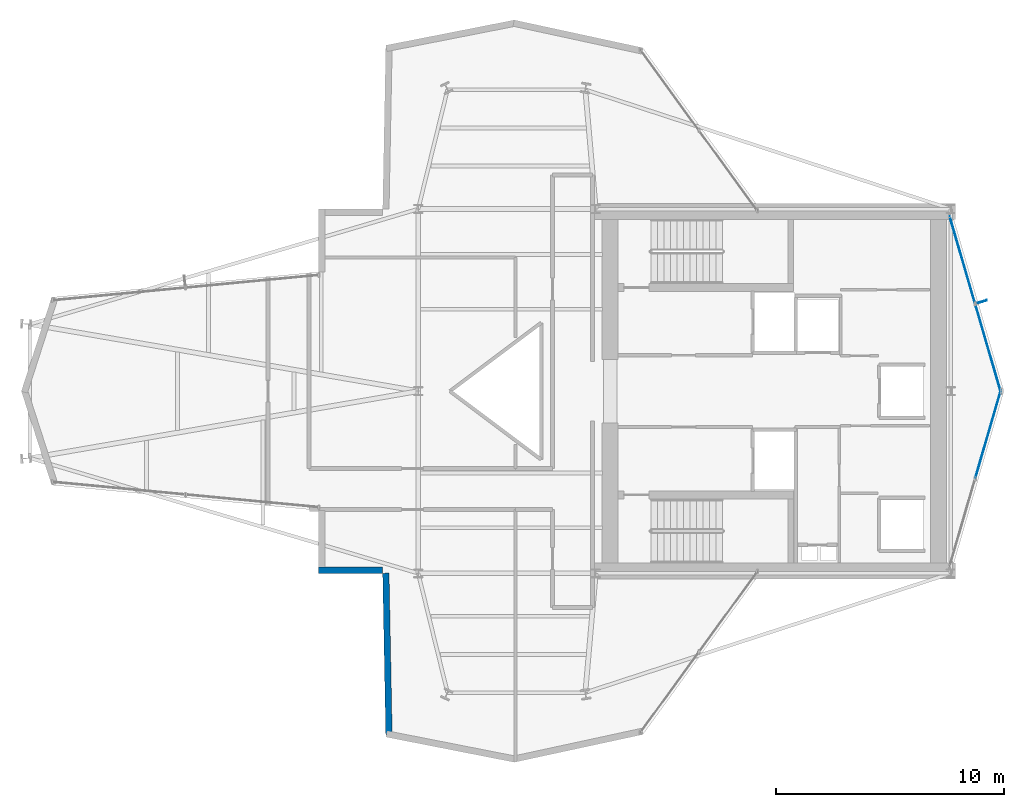
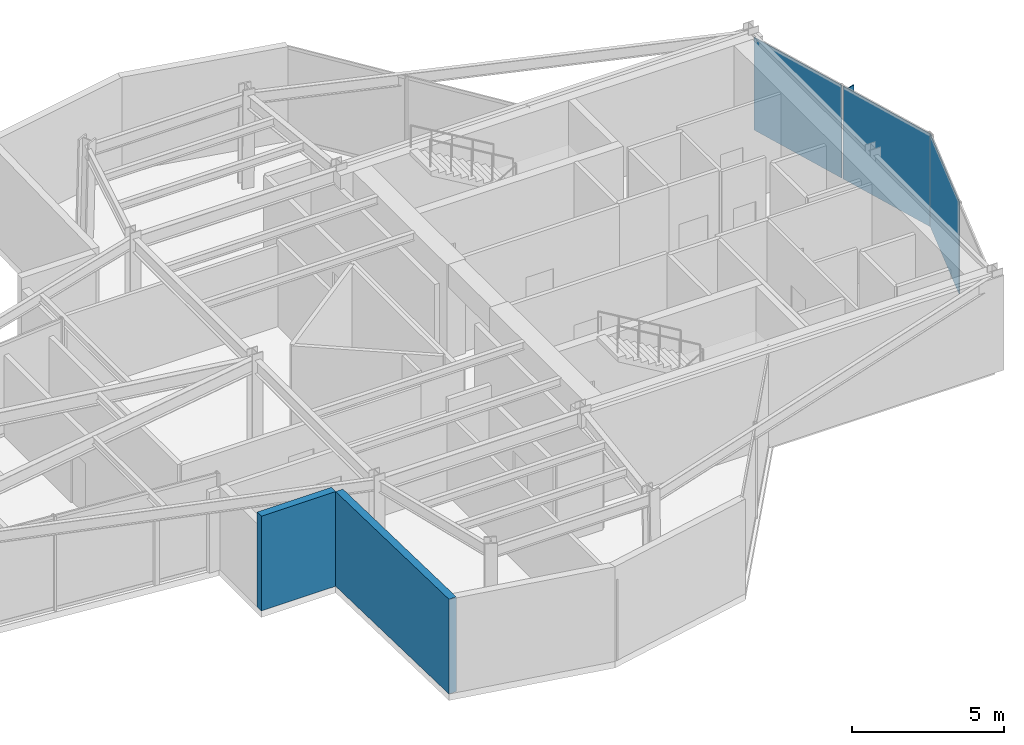
# One storey, part 18 of 21: 4 plates, 2 walls, 2 elements without a shape of their own.
"""IFC4 building model written with IfcOpenShell, lengths in metres."""

from ifc_helpers import new_model, si_unit, direction, frame, frame_2d, origin, origin_2d, place, context, subcontext, project, spatial, rectangle, extrude, material, layer, layer_set, type_object, element, aggregate, save


model = new_model("IFC4")

# Units and contexts
model_context = context("Model", 3, precision=1e-05, world=origin(), true_north=direction((0.0, 1.0)))
body_context = subcontext(model_context, "Body", "Model", "MODEL_VIEW")
ifc_project = project(units=[si_unit("LENGTHUNIT", "METRE"), si_unit("AREAUNIT", "SQUARE_METRE"), si_unit("VOLUMEUNIT", "CUBIC_METRE"), si_unit("PLANEANGLEUNIT", "RADIAN"), si_unit("MASSUNIT", "GRAM", prefix="KILO")], contexts=[model_context])

# Site, building, storey
site_placement = place(None, origin())
site = spatial("IfcSite", under=ifc_project, at=site_placement, CompositionType="ELEMENT")
building_placement = place(site_placement, origin())
building = spatial("IfcBuilding", under=site, at=building_placement, Name="Veymaron Broadcast Tower", CompositionType="ELEMENT")
storey_placement = place(building_placement, frame((0.0, 0.0, 232.35009765625)))
storey = spatial("IfcBuildingStorey", under=building, at=storey_placement, Name="L54", CompositionType="ELEMENT", Elevation=232.35009765625)

# Curtain wall, plate
ifc_material_1 = material(Name="Anodised aluminium AA 6063-T6 and laminated low-E dark glass", Category="aluminium")
ifc_layer_1 = layer(ifc_material_1, 0.179931640625)
ifc_layer_set_1 = layer_set([ifc_layer_1], Name="Anodised aluminium AA 6063-T6 and laminated low-E dark glass")
curtain_wall_type = type_object("IfcCurtainWallType", Name="CW-SYS-05", PredefinedType="NOTDEFINED", material=ifc_layer_set_1)
curtain_wall_1_placement = place(storey_placement, origin())
curtain_wall_1 = element("IfcCurtainWall", 1, at=curtain_wall_1_placement, inside=storey, type_object=curtain_wall_type, Name="L54 dark-glass curtain wall CW-L54-E2-1", PredefinedType="NOTDEFINED")
ifc_material_2 = material(Name="Double-silver solar-control dark glass IGU 32 mm", Category="glass")
ifc_layer_2 = layer(ifc_material_2, 0.031982421875)
ifc_layer_set_2 = layer_set([ifc_layer_2], Name="Double-silver solar-control dark glass IGU 32 mm")
plate_type_1 = type_object("IfcPlateType", Name="CW-PNL-02", PredefinedType="CURTAIN_PANEL", material=ifc_layer_set_2)
plate_1_placement = place(storey_placement, frame((56.2314453125, 22.099853515625, 0.0400390625), z_axis=(0.0, 0.0, 1.0), x_axis=(0.279745232811, 0.960074270418, 0.0)))
plate_1 = element("IfcPlate", 2, at=plate_1_placement, type_object=plate_type_1, Name="CW-L54-E2-1 unitised curtain panel 1", PredefinedType="CURTAIN_PANEL", context=body_context, shape_type="SweptSolid", body=[
    extrude(rectangle(XDim=3.979736328125, YDim=0.031982421875, at=origin_2d()), origin(), (0.0, 0.0, 1.0), 3.7099609375),
])
aggregate(curtain_wall_1, [plate_1])

# Curtain wall, plates
curtain_wall_2_placement = place(storey_placement, origin())
curtain_wall_2 = element("IfcCurtainWall", 3, at=curtain_wall_2_placement, inside=storey, type_object=curtain_wall_type, Name="L54 dark-glass curtain wall CW-L54-E3-1", PredefinedType="NOTDEFINED")
plate_2_placement = place(storey_placement, frame((56.2314453125, 25.900146484375, 0.0400390625), z_axis=(0.0, 0.0, 1.0), x_axis=(-0.279745232811, 0.960074270418, 0.0)))
plate_2 = element("IfcPlate", 4, at=plate_2_placement, type_object=plate_type_1, Name="CW-L54-E3-1 unitised curtain panel 0", PredefinedType="CURTAIN_PANEL", context=body_context, shape_type="SweptSolid", body=[
    extrude(rectangle(XDim=3.979736328125, YDim=0.031982421875, at=origin_2d()), origin(), (0.0, 0.0, 1.0), 3.7099609375),
])
plate_3_placement = place(storey_placement, frame((55.101318359375, 29.778564453125, 0.0400390625), z_axis=(0.0, 0.0, 1.0), x_axis=(-0.279745232811, 0.960074270418, 0.0)))
plate_3 = element("IfcPlate", 5, at=plate_3_placement, type_object=plate_type_1, Name="CW-L54-E3-1 unitised curtain panel 1", PredefinedType="CURTAIN_PANEL", context=body_context, shape_type="SweptSolid", body=[
    extrude(rectangle(XDim=3.979736328125, YDim=0.031982421875, at=origin_2d()), origin(), (0.0, 0.0, 1.0), 3.7099609375),
])
aggregate(curtain_wall_2, [plate_2, plate_3])

# Plate
ifc_material_3 = material(Name="Dark-anodised aluminium AA 6061-T6", Category="aluminium")
ifc_layer_3 = layer(ifc_material_3, 0.031982421875)
ifc_layer_set_3 = layer_set([ifc_layer_3], Name="Dark-anodised aluminium AA 6061-T6")
plate_type_2 = type_object("IfcPlateType", Name="FIN-CHEV-03", PredefinedType="USERDEFINED", material=ifc_layer_set_3)
plate_4_placement = place(storey_placement, frame((55.9833984375, 27.931640625, 0.26513671875), z_axis=(0.0, 0.0, 1.0), x_axis=(0.960074270418, 0.279745232811, 0.0)))
element("IfcPlate", 6, at=plate_4_placement, inside=storey, type_object=plate_type_2, Name="CW-L54-E3-1 chevron fin 1", ObjectType="FIN", PredefinedType="USERDEFINED", context=body_context, shape_type="SweptSolid", body=[
    extrude(rectangle(XDim=0.39990234375, YDim=0.034912109375, at=origin_2d()), origin(), (0.0, 0.0, 1.0), 3.259521484375),
])

# Walls
ifc_material_4 = material(Name="Precast concrete C40/50", Category="concrete")
ifc_layer_4 = layer(ifc_material_4, 0.280029296875)
ifc_layer_set_4 = layer_set([ifc_layer_4], Name="Precast concrete C40/50")
wall_type = type_object("IfcWallType", Name="WALL-EXT-280", PredefinedType="STANDARD", material=ifc_layer_set_4)
wall_1_placement = place(storey_placement, frame((26.823974609375, 16.139892578125, 0.0), z_axis=(0.0, 0.0, 1.0), x_axis=(1.0, 0.0, 0.0)))
element("IfcWall", 7, at=wall_1_placement, inside=storey, type_object=wall_type, Name="L54 notched corner facade pier 16-1", PredefinedType="STANDARD", context=body_context, shape_type="SweptSolid", body=[
    extrude(rectangle(XDim=2.8154296875, YDim=0.280029296875, at=frame_2d((1.40771484375, 0.0))), origin(), (0.0, 0.0, 1.0), 3.789794921875),
])
wall_2_placement = place(storey_placement, frame((29.779296875, 16.002685546875, 0.0), z_axis=(0.0, 0.0, 1.0), x_axis=(0.019207643139, -0.999815516205, 0.0)))
element("IfcWall", 8, at=wall_2_placement, inside=storey, type_object=wall_type, Name="L54 notched corner facade pier 17-1", PredefinedType="STANDARD", context=body_context, shape_type="SweptSolid", body=[
    extrude(rectangle(XDim=7.194091796875, YDim=0.280029296875, at=frame_2d((3.59716796875, 0.0))), origin(), (0.0, 0.0, 1.0), 3.789794921875),
])

save(model, "model.ifc")
